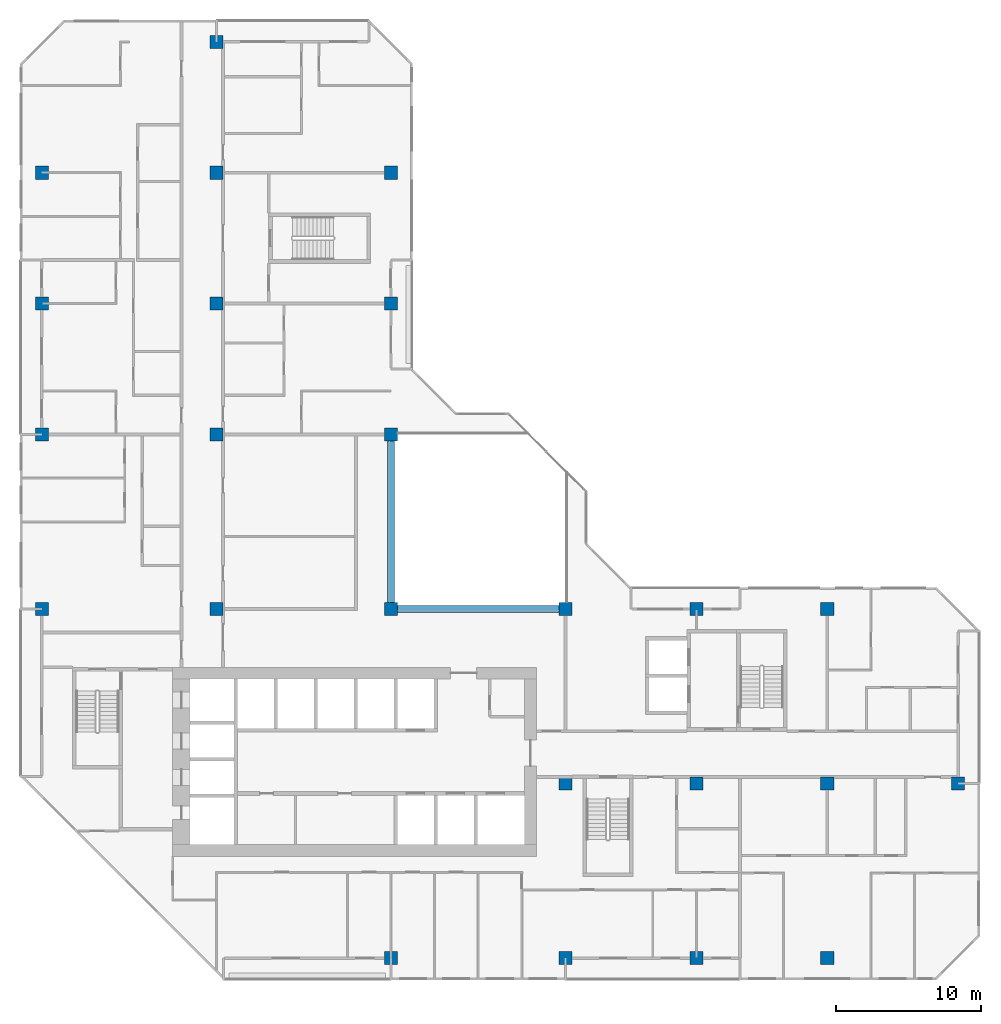
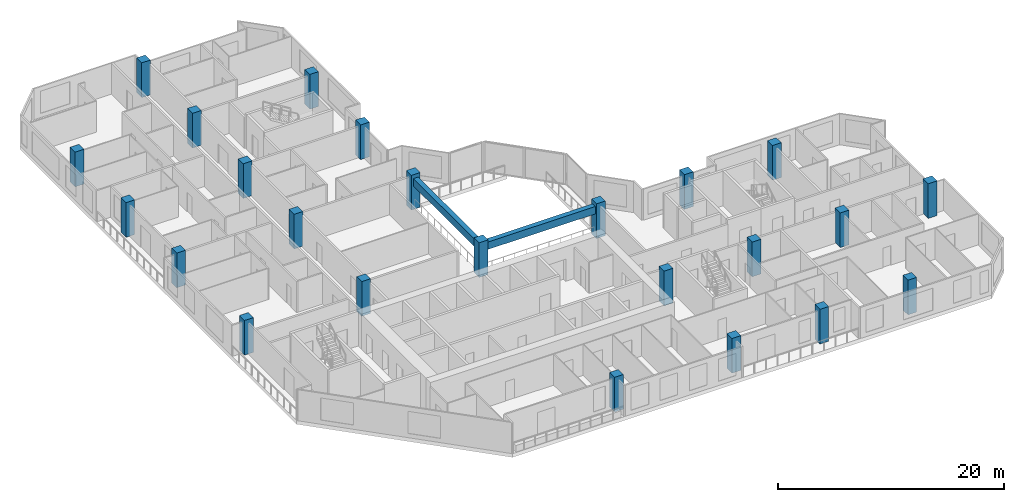
# One storey, part 1 of 14: 24 columns, 2 beams.
"""IFC4 building model written with IfcOpenShell, lengths in metres."""

from ifc_helpers import new_model, si_unit, direction, frame, origin, origin_2d, place, context, subcontext, project, spatial, rectangle, extrude, material, material_profile, profile_set, type_object, element, save


model = new_model("IFC4")

# Units and contexts
model_context = context("Model", 3, precision=1e-05, world=origin(), true_north=direction((0.0, 1.0)))
body_context = subcontext(model_context, "Body", "Model", "MODEL_VIEW")
ifc_project = project(units=[si_unit("LENGTHUNIT", "METRE"), si_unit("AREAUNIT", "SQUARE_METRE"), si_unit("VOLUMEUNIT", "CUBIC_METRE"), si_unit("PLANEANGLEUNIT", "RADIAN"), si_unit("MASSUNIT", "GRAM", prefix="KILO")], contexts=[model_context])

# Site, building, storey
site_placement = place(None, origin())
site = spatial("IfcSite", under=ifc_project, at=site_placement, CompositionType="ELEMENT")
building_placement = place(site_placement, origin())
building = spatial("IfcBuilding", under=site, at=building_placement, Name="Chenar Terraces", CompositionType="ELEMENT")
storey_placement = place(building_placement, frame((0.0, 0.0, 183.64990234375)))
storey = spatial("IfcBuildingStorey", under=building, at=storey_placement, Name="L42", CompositionType="ELEMENT", Elevation=183.64990234375)

# Columns
ifc_material_1 = material(Name="Concrete C60/75", Category="concrete")
ifc_material_profile_1 = material_profile(ifc_material_1, rectangle(XDim=0.89990234375, YDim=0.89990234375, at=origin_2d()), Name="C 900 x 900")
ifc_profile_set_1 = profile_set([ifc_material_profile_1], Name="Concrete C60/75")
column_type = type_object("IfcColumnType", Name="Column C 900 x 900 Concrete C60/75", PredefinedType="COLUMN", material=ifc_profile_set_1)
column_1_placement = place(storey_placement, frame((0.0, 24.0, 0.0), z_axis=(0.0, 0.0, 1.0), x_axis=(1.0, 0.0, 0.0)))
element("IfcColumn", 1, at=column_1_placement, inside=storey, type_object=column_type, Name="Column 5/G L42", PredefinedType="COLUMN", context=body_context, shape_type="SweptSolid", body=[
    extrude(rectangle(XDim=0.89990234375, YDim=0.89990234375, at=origin_2d()), origin(), (0.0, 0.0, 1.0), 3.75),
])
column_2_placement = place(storey_placement, frame((0.0, 36.0, 0.0), z_axis=(0.0, 0.0, 1.0), x_axis=(1.0, 0.0, 0.0)))
element("IfcColumn", 2, at=column_2_placement, inside=storey, type_object=column_type, Name="Column 5/H L42", PredefinedType="COLUMN", context=body_context, shape_type="SweptSolid", body=[
    extrude(rectangle(XDim=0.89990234375, YDim=0.89990234375, at=origin_2d()), origin(), (0.0, 0.0, 1.0), 3.75),
])
column_3_placement = place(storey_placement, frame((0.0, 45.0, 0.0), z_axis=(0.0, 0.0, 1.0), x_axis=(1.0, 0.0, 0.0)))
element("IfcColumn", 3, at=column_3_placement, inside=storey, type_object=column_type, Name="Column 5/J L42", PredefinedType="COLUMN", context=body_context, shape_type="SweptSolid", body=[
    extrude(rectangle(XDim=0.89990234375, YDim=0.89990234375, at=origin_2d()), origin(), (0.0, 0.0, 1.0), 3.75),
])
column_4_placement = place(storey_placement, frame((0.0, 54.0, 0.0), z_axis=(0.0, 0.0, 1.0), x_axis=(1.0, 0.0, 0.0)))
element("IfcColumn", 4, at=column_4_placement, inside=storey, type_object=column_type, Name="Column 5/K L42", PredefinedType="COLUMN", context=body_context, shape_type="SweptSolid", body=[
    extrude(rectangle(XDim=0.89990234375, YDim=0.89990234375, at=origin_2d()), origin(), (0.0, 0.0, 1.0), 3.75),
])
for number, where, z_axis, x_axis, name in (
    (5, (12.0, 24.0, 0.0), (0.0, 0.0, 1.0), (1.0, 0.0, 0.0), "Column 6/G L42"),
    (6, (12.0, 36.0, 0.0), (0.0, 0.0, 1.0), (1.0, 0.0, 0.0), "Column 6/H L42"),
    (7, (12.0, 45.0, 0.0), (0.0, 0.0, 1.0), (1.0, 0.0, 0.0), "Column 6/J L42"),
    (8, (12.0, 54.0, 0.0), (0.0, 0.0, 1.0), (1.0, 0.0, 0.0), "Column 6/K L42"),
    (9, (12.0, 63.0, 0.0), (0.0, 0.0, 1.0), (1.0, 0.0, 0.0), "Column 6/L L42"),
    (10, (24.0, 0.0, 0.0), (0.0, 0.0, 1.0), (1.0, 0.0, 0.0), "Column 7/E L42"),
    (11, (24.0, 24.0, 0.0), (0.0, 0.0, 1.0), (1.0, 0.0, 0.0), "Column 7/G L42"),
    (12, (24.0, 36.0, 0.0), (0.0, 0.0, 1.0), (1.0, 0.0, 0.0), "Column 7/H L42"),
    (13, (24.0, 45.0, 0.0), (0.0, 0.0, 1.0), (1.0, 0.0, 0.0), "Column 7/J L42"),
    (14, (24.0, 54.0, 0.0), (0.0, 0.0, 1.0), (1.0, 0.0, 0.0), "Column 7/K L42"),
    (15, (36.0, 0.0, 0.0), (0.0, 0.0, 1.0), (1.0, 0.0, 0.0), "Column 8/E L42"),
    (16, (36.0, 12.0, 0.0), (0.0, 0.0, 1.0), (1.0, 0.0, 0.0), "Column 8/F L42"),
    (17, (36.0, 24.0, 0.0), (0.0, 0.0, 1.0), (1.0, 0.0, 0.0), "Column 8/G L42"),
    (18, (45.0, 0.0, 0.0), (0.0, 0.0, 1.0), (1.0, 0.0, 0.0), "Column 9/E L42"),
    (19, (45.0, 12.0, 0.0), (0.0, 0.0, 1.0), (1.0, 0.0, 0.0), "Column 9/F L42"),
    (20, (45.0, 24.0, 0.0), (0.0, 0.0, 1.0), (1.0, 0.0, 0.0), "Column 9/G L42"),
    (21, (54.0, 0.0, 0.0), (0.0, 0.0, 1.0), (1.0, 0.0, 0.0), "Column 10/E L42"),
    (22, (54.0, 12.0, 0.0), (0.0, 0.0, 1.0), (1.0, 0.0, 0.0), "Column 10/F L42"),
    (23, (54.0, 24.0, 0.0), (0.0, 0.0, 1.0), (1.0, 0.0, 0.0), "Column 10/G L42"),
    (24, (63.0, 12.0, 0.0), (0.0, 0.0, 1.0), (1.0, 0.0, 0.0), "Column 11/F L42"),
):
    element("IfcColumn", number, at=place(storey_placement, frame(where, z_axis=z_axis, x_axis=x_axis)), inside=storey, type_object=column_type, Name=name, PredefinedType="COLUMN", context=body_context, shape_type="SweptSolid", body=[
        extrude(rectangle(XDim=0.89990234375, YDim=0.89990234375, at=origin_2d()), origin(), (0.0, 0.0, 1.0), 3.75),
    ])

# Beams
ifc_material_2 = material(Name="Concrete C40/50", Category="concrete")
ifc_material_profile_2 = material_profile(ifc_material_2, rectangle(XDim=0.5, YDim=0.800048828125, at=origin_2d()), Name="RC 500 x 800")
ifc_profile_set_2 = profile_set([ifc_material_profile_2], Name="Concrete C40/50")
beam_type = type_object("IfcBeamType", Name="Atrium edge beam 500 x 800 Concrete C40/50", PredefinedType="BEAM", material=ifc_profile_set_2)
for number, where, z_axis, x_axis, name in (
    (25, (24.449951171875, 24.0, 2.9501953125), (1.0, 0.0, 0.0), (0.0, 1.0, 0.0), "Atrium edge beam L43 1"),
    (26, (24.0, 35.550048828125, 2.9501953125), (0.0, -1.0, 0.0), (1.0, 0.0, 0.0), "Atrium edge beam L43 4"),
):
    element("IfcBeam", number, at=place(storey_placement, frame(where, z_axis=z_axis, x_axis=x_axis)), inside=storey, type_object=beam_type, Name=name, PredefinedType="BEAM", context=body_context, shape_type="SweptSolid", body=[
        extrude(rectangle(XDim=0.5, YDim=0.800048828125, at=origin_2d()), origin(), (0.0, 0.0, 1.0), 11.10009765625),
    ])

save(model, "model.ifc")
